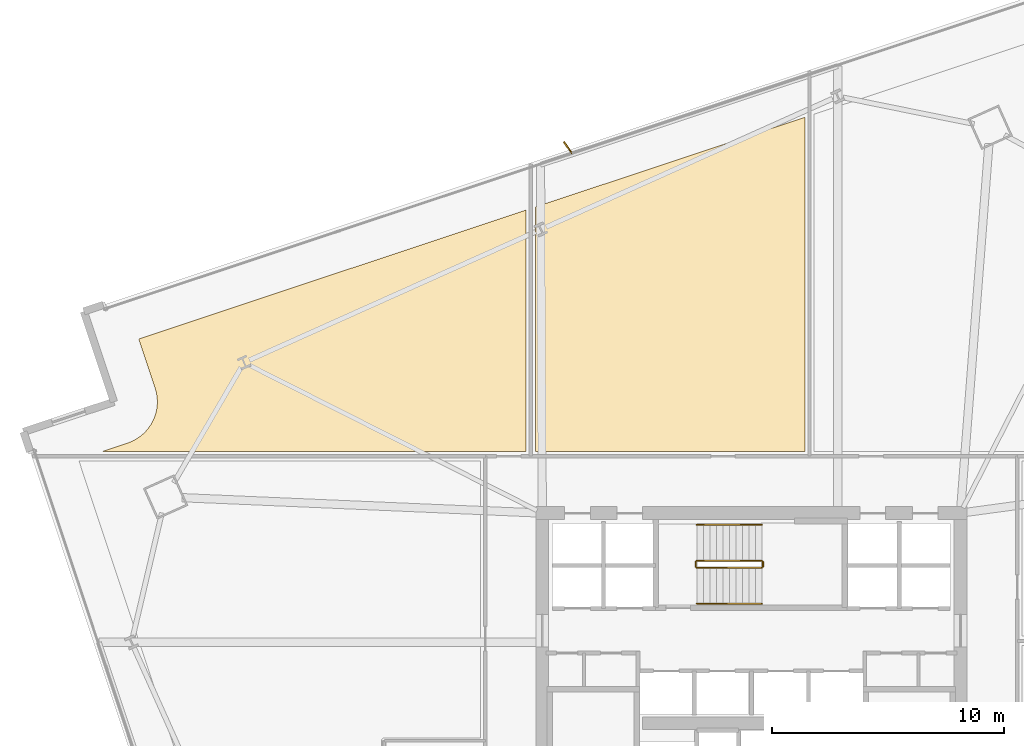
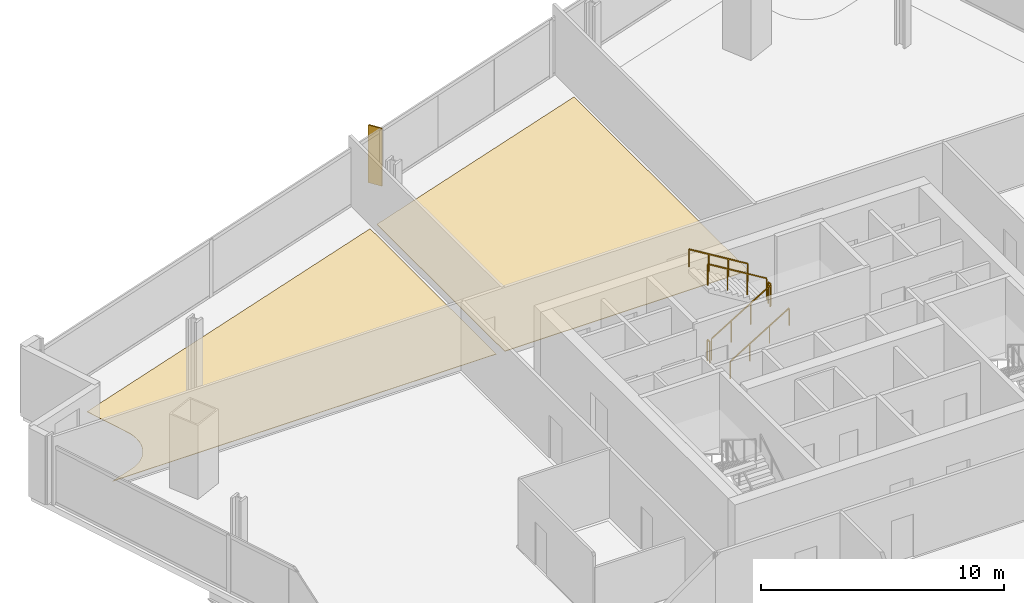
# One storey, part 33 of 34: 6 railings, 2 coverings, 1 shading device.
"""IFC4 building model written with IfcOpenShell, lengths in metres."""

import ifcopenshell
import ifcopenshell.guid

model = None  # the IFC model being written
_history = None  # IfcOwnerHistory: only IFC2X3 demands one
_inside = {}  # id of a spatial element -> (the spatial element, [elements in it])
_under = {}  # id of a project, library or spatial element -> (it, [spatial elements below it])
_declared = {}  # id of a project -> (the project, [libraries it declares])
_typed = {}  # id of a type object -> (the type object, [elements of that type])
_made_of = {}  # id of a material, layer set ... -> (it, [elements and type objects made of it])


def new_model(schema):
    """Start an empty IFC model of exactly this schema.

    Asked for "IFC4X3", IfcOpenShell would pick the latest addendum, in which some entities
    have other attributes; the version numbers below select the first issue.
    IFC2X3 requires an IfcOwnerHistory on every rooted entity: one is made here for all.
    """
    global model, _history
    if schema == "IFC4X3":
        model = ifcopenshell.file(schema_version=(4, 3, 0, 0))
    else:
        model = ifcopenshell.file(schema=schema)
    _inside.clear()
    _under.clear()
    _declared.clear()
    _typed.clear()
    _made_of.clear()
    _history = None
    if model.schema == "IFC2X3":
        org = make("IfcOrganization", Name="unknown")
        user = make(
            "IfcPersonAndOrganization",
            ThePerson=make("IfcPerson", FamilyName="unknown"),
            TheOrganization=org,
        )
        app = make(
            "IfcApplication",
            ApplicationDeveloper=org,
            Version="unknown",
            ApplicationFullName="unknown",
            ApplicationIdentifier="unknown",
        )
        _history = make(
            "IfcOwnerHistory",
            OwningUser=user,
            OwningApplication=app,
            ChangeAction="ADDED",
            CreationDate=0,
        )
    return model


def make(cls, **values):
    """One entity of the class cls with the attributes given. An attribute that is None is left unset."""
    return model.create_entity(
        cls, **{name: value for name, value in values.items() if value is not None}
    )


def rooted(cls, **values):
    """An entity with a GlobalId (a new one), such as an element, a storey or a relation."""
    return make(cls, GlobalId=ifcopenshell.guid.new(), OwnerHistory=_history, **values)


def si_unit(unit_type, name, prefix=None):
    """IfcSIUnit, for example si_unit("LENGTHUNIT", "METRE", prefix="MILLI")."""
    return make("IfcSIUnit", UnitType=unit_type, Prefix=prefix, Name=name)


def assignment(units):
    """IfcUnitAssignment: the units of a project."""
    return None if units is None else make("IfcUnitAssignment", Units=units)


def point(xyz):
    """IfcCartesianPoint."""
    return None if xyz is None else make("IfcCartesianPoint", Coordinates=xyz)


def direction(xyz):
    """IfcDirection."""
    return None if xyz is None else make("IfcDirection", DirectionRatios=xyz)


def frame(location, z_axis=None, x_axis=None):
    """IfcAxis2Placement3D, a coordinate frame: its origin and axes. An axis left out is left unset."""
    return make(
        "IfcAxis2Placement3D",
        Location=point(location),
        Axis=direction(z_axis),
        RefDirection=direction(x_axis),
    )


def frame_2d(location, x_axis=None):
    """IfcAxis2Placement2D, a coordinate frame in the plane: its origin and x axis."""
    return make(
        "IfcAxis2Placement2D", Location=point(location), RefDirection=direction(x_axis)
    )


def origin():
    """The frame at (0, 0, 0) with its axes left unset."""
    return frame((0.0, 0.0, 0.0))


def origin_2d():
    """The frame at (0, 0) in the plane with its x axis left unset."""
    return frame_2d((0.0, 0.0))


def place(relative_to, where):
    """IfcLocalPlacement: puts the frame where relative to a parent placement (None: the world)."""
    return make(
        "IfcLocalPlacement", PlacementRelTo=relative_to, RelativePlacement=where
    )


def context(
    kind, dimensions, precision=None, world=None, true_north=None, identifier=None
):
    """IfcGeometricRepresentationContext, for example the 3D "Model" context."""
    return make(
        "IfcGeometricRepresentationContext",
        ContextIdentifier=identifier,
        ContextType=kind,
        CoordinateSpaceDimension=dimensions,
        Precision=precision,
        WorldCoordinateSystem=world,
        TrueNorth=true_north,
    )


def subcontext(parent, identifier, kind, view, scale=None):
    """IfcGeometricRepresentationSubContext, for example "Body" below "Model"."""
    return make(
        "IfcGeometricRepresentationSubContext",
        ContextIdentifier=identifier,
        ContextType=kind,
        ParentContext=parent,
        TargetScale=scale,
        TargetView=view,
    )


def project(units=None, contexts=None):
    """IfcProject with its units and contexts."""
    return rooted(
        "IfcProject",
        Name="project",
        RepresentationContexts=contexts,
        UnitsInContext=assignment(units),
    )


def spatial(cls, under=None, at=None, **own):
    """A site, building, storey or space (cls), placed at a placement, below another one or the project."""
    s = rooted(cls, ObjectPlacement=at, **own)
    if under is not None:
        _under.setdefault(under.id(), (under, []))[1].append(s)
    return s


def polyline(points):
    """IfcPolyline through the points."""
    return make("IfcPolyline", Points=[point(p) for p in points])


def profile(cls, at=None, kind="AREA", **sizes):
    """A parametric profile (cls). Its sizes go by their IFC names, for example OverallWidth=200.0."""
    return make(cls, ProfileType=kind, Position=at, **sizes)


def rectangle(**sizes):
    """IfcRectangleProfileDef."""
    return profile("IfcRectangleProfileDef", **sizes)


def outline(outer, holes=None, kind="AREA"):
    """IfcArbitraryClosedProfileDef: a profile drawn as a closed curve; with holes, ...WithVoids."""
    if holes is None:
        return make("IfcArbitraryClosedProfileDef", ProfileType=kind, OuterCurve=outer)
    return make(
        "IfcArbitraryProfileDefWithVoids",
        ProfileType=kind,
        OuterCurve=outer,
        InnerCurves=holes,
    )


def extrude(swept, where, along, depth):
    """IfcExtrudedAreaSolid: the profile swept, set in the frame where, extruded along a direction by depth."""
    return make(
        "IfcExtrudedAreaSolid",
        SweptArea=swept,
        Position=where,
        ExtrudedDirection=direction(along),
        Depth=depth,
    )


def shape(context_of_items, identifier, shape_type, items):
    """IfcShapeRepresentation: the items that make up one representation, for example the "Body"."""
    return make(
        "IfcShapeRepresentation",
        ContextOfItems=context_of_items,
        RepresentationIdentifier=identifier,
        RepresentationType=shape_type,
        Items=items,
    )


def source(mapping_origin, context_of_items, identifier, shape_type, items):
    """IfcRepresentationMap: a shape defined once, which mapped items show again and again."""
    return make(
        "IfcRepresentationMap",
        MappingOrigin=mapping_origin,
        MappedRepresentation=shape(context_of_items, identifier, shape_type, items),
    )


def transform(
    local_origin,
    x_axis=None,
    y_axis=None,
    z_axis=None,
    scale=None,
    scale2=None,
    scale3=None,
    uniform=True,
):
    """IfcCartesianTransformationOperator3D, or its non-uniform kind. x_axis, y_axis, z_axis: its Axis1, 2, 3."""
    if uniform:
        return make(
            "IfcCartesianTransformationOperator3D",
            Axis1=direction(x_axis),
            Axis2=direction(y_axis),
            LocalOrigin=point(local_origin),
            Scale=scale,
            Axis3=direction(z_axis),
        )
    return make(
        "IfcCartesianTransformationOperator3DnonUniform",
        Axis1=direction(x_axis),
        Axis2=direction(y_axis),
        LocalOrigin=point(local_origin),
        Scale=scale,
        Axis3=direction(z_axis),
        Scale2=scale2,
        Scale3=scale3,
    )


def mapped(mapping_source, mapping_target):
    """IfcMappedItem: shows the shape of a source again, moved by a transform."""
    return make(
        "IfcMappedItem", MappingSource=mapping_source, MappingTarget=mapping_target
    )


def material(Name=None, Category=None):
    """IfcMaterial."""
    return make("IfcMaterial", Name=Name, Category=Category)


def layer(
    of_material, thickness, ventilated=None, Name=None, Category=None, Priority=None
):
    """IfcMaterialLayer: one layer of a wall or slab, of a material (None: an air gap)."""
    return make(
        "IfcMaterialLayer",
        Material=of_material,
        LayerThickness=thickness,
        IsVentilated=ventilated,
        Name=Name,
        Category=Category,
        Priority=Priority,
    )


def layer_set(layers, Name=None):
    """IfcMaterialLayerSet."""
    return make("IfcMaterialLayerSet", MaterialLayers=layers, LayerSetName=Name)


def made_of(thing, what):
    """Note that an element or type object is made of a material, layer set ...; save() writes the relation."""
    if what is not None:
        _made_of.setdefault(what.id(), (what, []))[1].append(thing)
    return thing


def type_object(cls, material=None, **own):
    """A type object (cls), such as IfcWallType, which elements share."""
    return made_of(rooted(cls, **own), material)


def element(
    cls,
    number,
    at=None,
    inside=None,
    cuts=None,
    type_object=None,
    material=None,
    context=None,
    identifier="Body",
    shape_type=None,
    held_by="IfcProductDefinitionShape",
    body=None,
    shapes=None,
    **own,
):
    """One element of the class cls, such as IfcWall. Its Tag is "e" and its number.

    at: its placement. inside: the storey or other place that contains it. cuts: it is an
    opening in that element (IfcRelVoidsElement). A single representation is given by context,
    identifier, shape_type and body (its items); several are given by shapes. held_by: the class
    of the entity that holds the representations. save() writes the other relations.
    """
    e = rooted(cls, Tag="e%d" % number, ObjectPlacement=at, **own)
    if body is not None:
        shapes = [shape(context, identifier, shape_type, body)]
    if shapes is not None:
        e.Representation = make(held_by, Representations=shapes)
    if inside is not None:
        _inside.setdefault(inside.id(), (inside, []))[1].append(e)
    if cuts is not None:
        rooted(
            "IfcRelVoidsElement", RelatingBuildingElement=cuts, RelatedOpeningElement=e
        )
    if type_object is not None:
        _typed.setdefault(type_object.id(), (type_object, []))[1].append(e)
    return made_of(e, material)


def aggregate(whole, parts):
    """IfcRelAggregates: a whole, such as a stair, and the parts it consists of."""
    return rooted("IfcRelAggregates", RelatingObject=whole, RelatedObjects=parts)


def save(model, path):
    """Write the relations noted so far, then the file.

    IfcRelAggregates (storeys below a building ...), IfcRelContainedInSpatialStructure (elements
    in a storey), IfcRelDefinesByType, IfcRelAssociatesMaterial and IfcRelDeclares: one each for
    every whole, place, type object, material and project.
    """
    for whole, parts in _under.values():
        aggregate(whole, parts)
    for where, things in _inside.values():
        rooted(
            "IfcRelContainedInSpatialStructure",
            RelatedElements=things,
            RelatingStructure=where,
        )
    for kind, things in _typed.values():
        rooted("IfcRelDefinesByType", RelatedObjects=things, RelatingType=kind)
    for what, things in _made_of.values():
        rooted("IfcRelAssociatesMaterial", RelatedObjects=things, RelatingMaterial=what)
    for by, libraries in _declared.values():
        rooted("IfcRelDeclares", RelatingContext=by, RelatedDefinitions=libraries)
    model.write(path)


model = new_model("IFC4")

# Units and contexts
model_context = context("Model", 3, precision=1e-05, world=origin(), true_north=direction((0.0, 1.0)))
body_context = subcontext(model_context, "Body", "Model", "MODEL_VIEW")
ifc_project = project(units=[si_unit("LENGTHUNIT", "METRE"), si_unit("AREAUNIT", "SQUARE_METRE"), si_unit("VOLUMEUNIT", "CUBIC_METRE"), si_unit("PLANEANGLEUNIT", "RADIAN"), si_unit("MASSUNIT", "GRAM", prefix="KILO")], contexts=[model_context])

# Site, building, storey
site_placement = place(None, origin())
site = spatial("IfcSite", under=ifc_project, at=site_placement, CompositionType="ELEMENT")
building_placement = place(site_placement, origin())
building = spatial("IfcBuilding", under=site, at=building_placement, Name="Haldenkirk Collegiate Tower", CompositionType="ELEMENT")
storey_placement = place(building_placement, frame((0.0, 0.0, 90.449951171875)))
storey = spatial("IfcBuildingStorey", under=building, at=storey_placement, Name="L21", CompositionType="ELEMENT", Elevation=90.449951171875)

# Coverings
ifc_material_1 = material(Name="Polished collegiate terrazzo", Category="concrete")
ifc_layer_1 = layer(ifc_material_1, 0.02490234375)
ifc_layer_set_1 = layer_set([ifc_layer_1], Name="Polished collegiate terrazzo")
covering_type_1 = type_object("IfcCoveringType", Name="COV-FLOOR-TERRAZZO", PredefinedType="FLOORING", material=ifc_layer_set_1)
covering_1_placement = place(storey_placement, origin())
element("IfcCovering", 1, at=covering_1_placement, inside=storey, type_object=covering_type_1, Name="L21 academic room finish 06", PredefinedType="FLOORING", context=body_context, shape_type="SweptSolid", body=[
    extrude(outline(polyline([(38.300048828125, 51.035888671875), (38.300048828125, 36.64990234375), (26.699951171875, 36.64990234375), (26.699951171875, 47.17724609375), (38.300048828125, 51.035888671875)])), origin(), (0.0, 0.0, 1.0), 0.025146484375),
])
ifc_material_2 = material(Name="Engineered collegiate oak acoustic flooring", Category="wood")
ifc_layer_2 = layer(ifc_material_2, 0.02197265625)
ifc_layer_set_2 = layer_set([ifc_layer_2], Name="Engineered collegiate oak acoustic flooring")
covering_type_2 = type_object("IfcCoveringType", Name="COV-FLOOR-TIMBER", PredefinedType="FLOORING", material=ifc_layer_set_2)
covering_2_placement = place(storey_placement, origin())
element("IfcCovering", 2, at=covering_2_placement, inside=storey, type_object=covering_type_2, Name="L21 academic room finish 05", PredefinedType="FLOORING", context=body_context, shape_type="SweptSolid", body=[
    extrude(outline(polyline([(9.315185546875, 37.08203125), (9.325927734375, 37.0869140625), (9.47900390625, 37.164306640625), (9.4892578125, 37.170166015625), (9.63427734375, 37.262451171875), (9.643798828125, 37.26904296875), (9.779052734375, 37.375), (9.787841796875, 37.3828125), (9.912109375, 37.50146484375), (9.920166015625, 37.510009765625), (10.031982421875, 37.640380859375), (10.039306640625, 37.649658203125), (10.1376953125, 37.790283203125), (10.14404296875, 37.800048828125), (10.228515625, 37.94970703125), (10.23388671875, 37.960205078125), (10.302978515625, 38.117431640625), (10.30712890625, 38.12841796875), (10.36083984375, 38.29150390625), (10.364013671875, 38.302978515625), (10.401123046875, 38.470703125), (10.403076171875, 38.482177734375), (10.423828125, 38.652587890625), (10.4248046875, 38.66455078125), (10.4287109375, 38.836181640625), (10.42822265625, 38.847900390625), (10.415283203125, 39.019287109375), (10.413818359375, 39.031005859375), (10.384033203125, 39.199951171875), (10.381591796875, 39.21142578125), (10.335205078125, 39.376953125), (10.33349609375, 39.382568359375), (9.629638671875, 41.49853515625), (26.300048828125, 47.0439453125), (26.300048828125, 36.64990234375), (8.04345703125, 36.64990234375), (9.1494140625, 37.017822265625), (9.155029296875, 37.02001953125), (9.315185546875, 37.08203125)])), origin(), (0.0, 0.0, 1.0), 0.02197265625),
])

# Railings
ifc_material_3 = material(Name="Painted architectural tubular steel", Category="steel")
railing_type_1 = type_object("IfcRailingType", Name="RLG-STAIR-GUARD-1100", PredefinedType="BALUSTRADE", material=ifc_material_3)
railing_1_placement = place(storey_placement, frame((33.64990234375, 31.64990234375, 0.17041015625)))
element("IfcRailing", 3, at=railing_1_placement, inside=storey, type_object=railing_type_1, Name="L21 ST-3 stair guard 1", PredefinedType="BALUSTRADE", context=body_context, shape_type="SweptSolid", body=[
    extrude(rectangle(XDim=0.048095703125, YDim=0.048095703125, at=origin_2d()), frame((0.0, 0.0, 1.076171875), z_axis=(0.854169791009, 0.0, 0.51999420009), x_axis=(0.0, 1.0, 0.0)), (0.0, 0.0, 1.0), 3.278076171875),
    extrude(rectangle(XDim=0.0419921875, YDim=0.0419921875, at=origin_2d()), origin(), (0.0, 0.0, 1.0), 1.052001953125),
    extrude(rectangle(XDim=0.0419921875, YDim=0.0419921875, at=origin_2d()), frame((0.933349609375, 0.0, 0.568115234375)), (0.0, 0.0, 1.0), 1.052001953125),
    extrude(rectangle(XDim=0.0419921875, YDim=0.0419921875, at=origin_2d()), frame((1.86669921875, 0.0, 1.136474609375)), (0.0, 0.0, 1.0), 1.052001953125),
    extrude(rectangle(XDim=0.0419921875, YDim=0.0419921875, at=origin_2d()), frame((2.800048828125, 0.0, 1.70458984375)), (0.0, 0.0, 1.0), 1.052001953125),
])
railing_2_placement = place(storey_placement, frame((36.5, 31.699951171875, 1.875)))
element("IfcRailing", 4, at=railing_2_placement, inside=storey, type_object=railing_type_1, Name="L21 ST-3 stair guard 2", PredefinedType="BALUSTRADE", context=body_context, shape_type="SweptSolid", body=[
    extrude(rectangle(XDim=0.048095703125, YDim=0.048095703125, at=origin_2d()), frame((0.0, 0.0, 1.076171875), z_axis=(0.0, 1.0, 0.0), x_axis=(-1.0, 0.0, 0.0)), (0.0, 0.0, 1.0), 0.199951171875),
    extrude(rectangle(XDim=0.0419921875, YDim=0.0419921875, at=origin_2d()), origin(), (0.0, 0.0, 1.0), 1.052001953125),
    extrude(rectangle(XDim=0.0419921875, YDim=0.0419921875, at=origin_2d()), frame((0.0, 0.199951171875, 0.0)), (0.0, 0.0, 1.0), 1.052001953125),
])
railing_3_placement = place(storey_placement, frame((36.449951171875, 31.949951171875, 2.04541015625)))
element("IfcRailing", 5, at=railing_3_placement, inside=storey, type_object=railing_type_1, Name="L21 ST-3 stair guard 3", PredefinedType="BALUSTRADE", context=body_context, shape_type="SweptSolid", body=[
    extrude(rectangle(XDim=0.048095703125, YDim=0.048095703125, at=origin_2d()), frame((0.0, 0.0, 1.076171875), z_axis=(-0.854169791009, 0.0, 0.51999420009), x_axis=(0.0, -1.0, 0.0)), (0.0, 0.0, 1.0), 3.278076171875),
    extrude(rectangle(XDim=0.0419921875, YDim=0.0419921875, at=origin_2d()), origin(), (0.0, 0.0, 1.0), 1.052001953125),
    extrude(rectangle(XDim=0.0419921875, YDim=0.0419921875, at=origin_2d()), frame((-0.933349609375, 0.0, 0.568115234375)), (0.0, 0.0, 1.0), 1.052001953125),
    extrude(rectangle(XDim=0.0419921875, YDim=0.0419921875, at=origin_2d()), frame((-1.86669921875, 0.0, 1.136474609375)), (0.0, 0.0, 1.0), 1.052001953125),
    extrude(rectangle(XDim=0.0419921875, YDim=0.0419921875, at=origin_2d()), frame((-2.800048828125, 0.0, 1.70458984375)), (0.0, 0.0, 1.0), 1.052001953125),
])
railing_4_placement = place(storey_placement, frame((33.60009765625, 31.699951171875, 0.0)))
element("IfcRailing", 6, at=railing_4_placement, inside=storey, type_object=railing_type_1, Name="L21 ST-3 stair guard 4", PredefinedType="BALUSTRADE", context=body_context, shape_type="SweptSolid", body=[
    extrude(rectangle(XDim=0.048095703125, YDim=0.048095703125, at=origin_2d()), frame((0.0, 0.0, 1.076171875), z_axis=(0.0, 1.0, 0.0), x_axis=(-1.0, 0.0, 0.0)), (0.0, 0.0, 1.0), 0.199951171875),
    extrude(rectangle(XDim=0.0419921875, YDim=0.0419921875, at=origin_2d()), origin(), (0.0, 0.0, 1.0), 1.052001953125),
    extrude(rectangle(XDim=0.0419921875, YDim=0.0419921875, at=origin_2d()), frame((0.0, 0.199951171875, 0.0)), (0.0, 0.0, 1.0), 1.052001953125),
])
railing_type_2 = type_object("IfcRailingType", Name="RLG-STAIR-HANDRAIL-900", PredefinedType="HANDRAIL", material=ifc_material_3)
railing_5_placement = place(storey_placement, frame((33.64990234375, 30.10009765625, 0.17041015625)))
element("IfcRailing", 7, at=railing_5_placement, inside=storey, type_object=railing_type_2, Name="L21 ST-3 stair handrail 1", PredefinedType="HANDRAIL", context=body_context, shape_type="SweptSolid", body=[
    extrude(rectangle(XDim=0.048095703125, YDim=0.048095703125, at=origin_2d()), frame((0.0, 0.0, 0.8759765625), z_axis=(0.854169791009, 0.0, 0.51999420009), x_axis=(0.0, 1.0, 0.0)), (0.0, 0.0, 1.0), 3.278076171875),
    extrude(rectangle(XDim=0.0419921875, YDim=0.0419921875, at=origin_2d()), origin(), (0.0, 0.0, 1.0), 0.851806640625),
    extrude(rectangle(XDim=0.0419921875, YDim=0.0419921875, at=origin_2d()), frame((0.933349609375, 0.0, 0.568115234375)), (0.0, 0.0, 1.0), 0.851806640625),
    extrude(rectangle(XDim=0.0419921875, YDim=0.0419921875, at=origin_2d()), frame((1.86669921875, 0.0, 1.136474609375)), (0.0, 0.0, 1.0), 0.851806640625),
    extrude(rectangle(XDim=0.0419921875, YDim=0.0419921875, at=origin_2d()), frame((2.800048828125, 0.0, 1.70458984375)), (0.0, 0.0, 1.0), 0.851806640625),
])
railing_6_placement = place(storey_placement, frame((36.449951171875, 33.5, 2.04541015625)))
element("IfcRailing", 8, at=railing_6_placement, inside=storey, type_object=railing_type_2, Name="L21 ST-3 stair handrail 2", PredefinedType="HANDRAIL", context=body_context, shape_type="SweptSolid", body=[
    extrude(rectangle(XDim=0.048095703125, YDim=0.048095703125, at=origin_2d()), frame((0.0, 0.0, 0.8759765625), z_axis=(-0.854169791009, 0.0, 0.51999420009), x_axis=(0.0, -1.0, 0.0)), (0.0, 0.0, 1.0), 3.278076171875),
    extrude(rectangle(XDim=0.0419921875, YDim=0.0419921875, at=origin_2d()), origin(), (0.0, 0.0, 1.0), 0.851806640625),
    extrude(rectangle(XDim=0.0419921875, YDim=0.0419921875, at=origin_2d()), frame((-0.933349609375, 0.0, 0.568115234375)), (0.0, 0.0, 1.0), 0.851806640625),
    extrude(rectangle(XDim=0.0419921875, YDim=0.0419921875, at=origin_2d()), frame((-1.86669921875, 0.0, 1.136474609375)), (0.0, 0.0, 1.0), 0.851806640625),
    extrude(rectangle(XDim=0.0419921875, YDim=0.0419921875, at=origin_2d()), frame((-2.800048828125, 0.0, 1.70458984375)), (0.0, 0.0, 1.0), 0.851806640625),
])

# Shading device
ifc_material_4 = material(Name="Anodised architectural bronze aluminium", Category="aluminium")
ifc_layer_3 = layer(ifc_material_4, 0.06494140625)
ifc_layer_set_3 = layer_set([ifc_layer_3], Name="Anodised architectural bronze aluminium")
shading_device_type = type_object("IfcShadingDeviceType", Name="SHD-FIN-BRONZE-620", PredefinedType="USERDEFINED", material=ifc_layer_set_3)
shared_shape = source(origin(), body_context, "Body", "SweptSolid", [
    extrude(rectangle(XDim=0.6201171875, YDim=0.06494140625, at=origin_2d()), origin(), (0.0, 0.0, 1.0), 2.90087890625),
])
shading_device_placement = place(storey_placement, frame((28.10400390625, 49.736083984375, 0.0), z_axis=(0.0, 0.0, 1.0), x_axis=(-0.564967003425, 0.825113498278, 0.0)))
element("IfcShadingDevice", 9, at=shading_device_placement, inside=storey, type_object=shading_device_type, Name="L21 folded bronze solar fin 1", ObjectType="FIN", PredefinedType="USERDEFINED", context=body_context, shape_type="MappedRepresentation", body=[
    mapped(shared_shape, transform((0.0, 0.0, 0.0), x_axis=(1.0, 0.0, 0.0), y_axis=(0.0, 1.0, 0.0), z_axis=(0.0, 0.0, 1.0), scale=1.0)),
])

save(model, "model.ifc")
